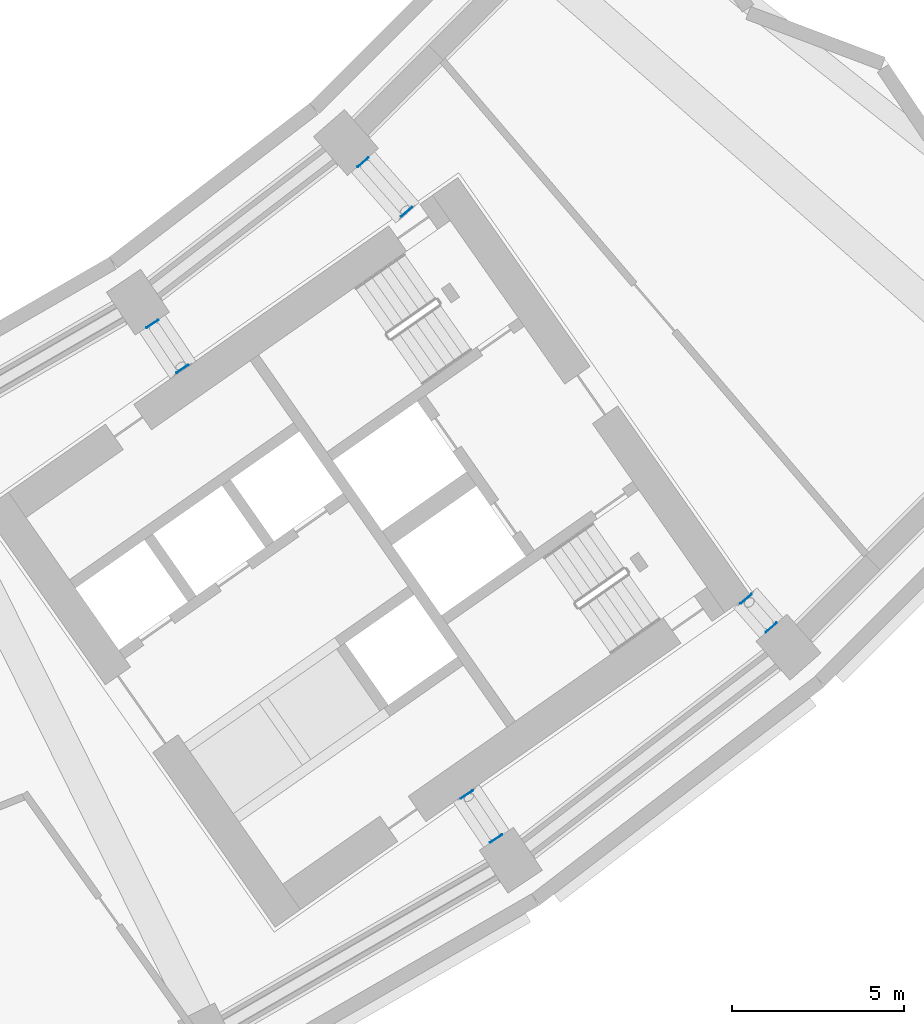
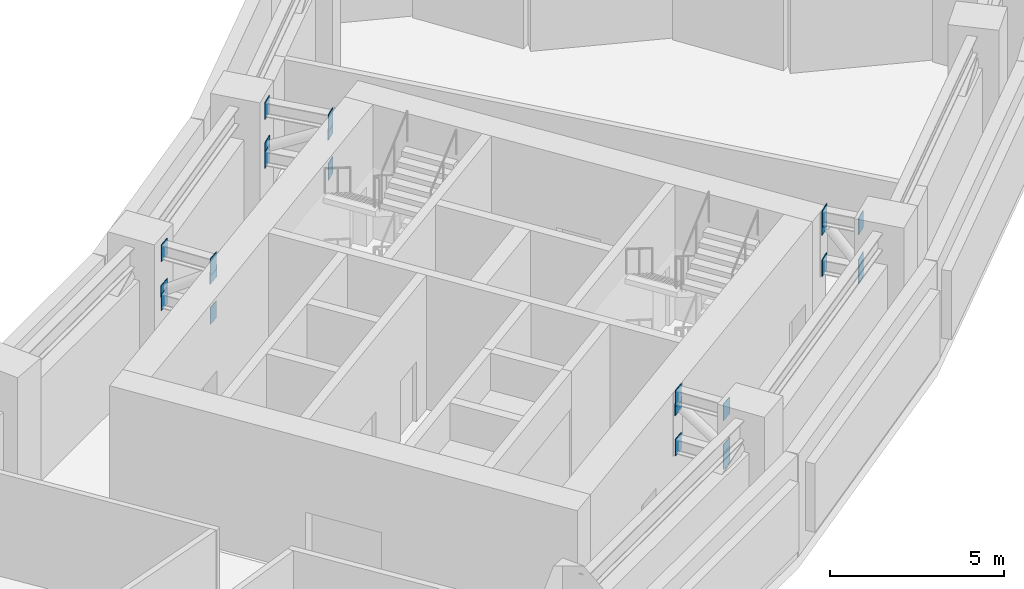
# One storey, part 14 of 25: 24 discrete accessories.
"""IFC4 building model written with IfcOpenShell, lengths in metres."""

from ifc_helpers import new_model, si_unit, direction, frame, origin, origin_2d, place, context, subcontext, project, spatial, rectangle, extrude, material, layer, layer_set, type_object, element, save


model = new_model("IFC4")

# Units and contexts
model_context = context("Model", 3, precision=1e-05, world=origin(), true_north=direction((0.0, 1.0)))
body_context = subcontext(model_context, "Body", "Model", "MODEL_VIEW")
ifc_project = project(units=[si_unit("LENGTHUNIT", "METRE"), si_unit("AREAUNIT", "SQUARE_METRE"), si_unit("VOLUMEUNIT", "CUBIC_METRE"), si_unit("PLANEANGLEUNIT", "RADIAN"), si_unit("MASSUNIT", "GRAM", prefix="KILO")], contexts=[model_context])

# Site, building, storey
site_placement = place(None, origin())
site = spatial("IfcSite", under=ifc_project, at=site_placement, CompositionType="ELEMENT")
building_placement = place(site_placement, origin())
building = spatial("IfcBuilding", under=site, at=building_placement, Name="Qamariyya Broadcast Tower", CompositionType="ELEMENT")
storey_placement = place(building_placement, frame((0.0, 0.0, 144.300048828125)))
storey = spatial("IfcBuildingStorey", under=building, at=storey_placement, Name="L33", CompositionType="ELEMENT", Elevation=144.300048828125)

# Discrete accessories
ifc_material = material(Name="Steel S355", Category="steel")
ifc_layer = layer(ifc_material, 0.02001953125)
ifc_layer_set = layer_set([ifc_layer], Name="End plate 20 Steel S355")
discrete_accessory_type = type_object("IfcDiscreteAccessoryType", Name="End plate 20 Steel S355", PredefinedType="BRACKET", material=ifc_layer_set)
for number, where, z_axis, x_axis, name in (
    (1, (32.7841796875, -49.06494140625, 4.15966796875), (0.0, 0.0, 1.0), (-0.831469612303, -0.55557023302, 0.0), "End plate EP1 L33 R15 tc"),
    (2, (33.656005859375, -50.369873046875, 4.15966796875), (0.0, 0.0, 1.0), (-0.831469612303, -0.55557023302, 0.0), "End plate EP1 L33 R15 tc"),
    (3, (32.7841796875, -49.06494140625, 2.44970703125), (0.0, 0.0, 1.0), (-0.831469612303, -0.55557023302, 0.0), "End plate EP1 L33 R15 bc"),
    (4, (33.656005859375, -50.369873046875, 2.44970703125), (0.0, 0.0, 1.0), (-0.831469612303, -0.55557023302, 0.0), "End plate EP1 L33 R15 bc"),
):
    element("IfcDiscreteAccessory", number, at=place(storey_placement, frame(where, z_axis=z_axis, x_axis=x_axis)), inside=storey, type_object=discrete_accessory_type, Name=name, PredefinedType="BRACKET", context=body_context, shape_type="SweptSolid", body=[
        extrude(rectangle(XDim=0.39990234375, YDim=0.02001953125, at=origin_2d()), origin(), (0.0, 0.0, 1.0), 0.590087890625),
    ])
for number, where, z_axis, x_axis, name in (
    (5, (32.7841796875, -49.06494140625, 2.91064453125), (0.0, 0.0, 1.0), (-0.831469612303, -0.55557023302, 0.0), "End plate EP1 L33 R15 dg"),
    (6, (33.656005859375, -50.369873046875, 3.865478515625), (0.0, 0.0, 1.0), (-0.831469612303, -0.55557023302, 0.0), "End plate EP1 L33 R15 dg"),
):
    element("IfcDiscreteAccessory", number, at=place(storey_placement, frame(where, z_axis=z_axis, x_axis=x_axis)), inside=storey, type_object=discrete_accessory_type, Name=name, PredefinedType="BRACKET", context=body_context, shape_type="SweptSolid", body=[
        extrude(rectangle(XDim=0.423828125, YDim=0.02001953125, at=origin_2d()), origin(), (0.0, 0.0, 1.0), 0.423828125),
    ])
for number, where, z_axis, x_axis, name in (
    (7, (41.91943359375, -62.73681640625, 4.15966796875), (0.0, 0.0, 1.0), (-0.831469612303, -0.55557023302, 0.0), "End plate EP1 L33 R15 tc"),
    (8, (42.7734375, -64.014892578125, 4.15966796875), (0.0, 0.0, 1.0), (-0.831469612303, -0.55557023302, 0.0), "End plate EP1 L33 R15 tc"),
    (9, (41.91943359375, -62.73681640625, 2.44970703125), (0.0, 0.0, 1.0), (-0.831469612303, -0.55557023302, 0.0), "End plate EP1 L33 R15 bc"),
    (10, (42.7734375, -64.014892578125, 2.44970703125), (0.0, 0.0, 1.0), (-0.831469612303, -0.55557023302, 0.0), "End plate EP1 L33 R15 bc"),
):
    element("IfcDiscreteAccessory", number, at=place(storey_placement, frame(where, z_axis=z_axis, x_axis=x_axis)), inside=storey, type_object=discrete_accessory_type, Name=name, PredefinedType="BRACKET", context=body_context, shape_type="SweptSolid", body=[
        extrude(rectangle(XDim=0.39990234375, YDim=0.02001953125, at=origin_2d()), origin(), (0.0, 0.0, 1.0), 0.590087890625),
    ])
for number, where, z_axis, x_axis, name in (
    (11, (41.91943359375, -62.73681640625, 3.866943359375), (0.0, 0.0, 1.0), (-0.831469612303, -0.55557023302, 0.0), "End plate EP1 L33 R15 dg"),
    (12, (42.7734375, -64.014892578125, 2.9091796875), (0.0, 0.0, 1.0), (-0.831469612303, -0.55557023302, 0.0), "End plate EP1 L33 R15 dg"),
):
    element("IfcDiscreteAccessory", number, at=place(storey_placement, frame(where, z_axis=z_axis, x_axis=x_axis)), inside=storey, type_object=discrete_accessory_type, Name=name, PredefinedType="BRACKET", context=body_context, shape_type="SweptSolid", body=[
        extrude(rectangle(XDim=0.423828125, YDim=0.02001953125, at=origin_2d()), origin(), (0.0, 0.0, 1.0), 0.423828125),
    ])
for number, where, z_axis, x_axis, name in (
    (13, (38.907958984375, -44.365966796875, 4.15966796875), (0.0, 0.0, 1.0), (-0.751839807479, -0.6593458151, 0.0), "End plate EP1 L33 R16 tc"),
    (14, (40.172119140625, -45.8076171875, 4.15966796875), (0.0, 0.0, 1.0), (-0.751839807479, -0.6593458151, 0.0), "End plate EP1 L33 R16 tc"),
    (15, (38.907958984375, -44.365966796875, 2.44970703125), (0.0, 0.0, 1.0), (-0.751839807479, -0.6593458151, 0.0), "End plate EP1 L33 R16 bc"),
    (16, (40.172119140625, -45.8076171875, 2.44970703125), (0.0, 0.0, 1.0), (-0.751839807479, -0.6593458151, 0.0), "End plate EP1 L33 R16 bc"),
):
    element("IfcDiscreteAccessory", number, at=place(storey_placement, frame(where, z_axis=z_axis, x_axis=x_axis)), inside=storey, type_object=discrete_accessory_type, Name=name, PredefinedType="BRACKET", context=body_context, shape_type="SweptSolid", body=[
        extrude(rectangle(XDim=0.39990234375, YDim=0.02001953125, at=origin_2d()), origin(), (0.0, 0.0, 1.0), 0.590087890625),
    ])
for number, where, z_axis, x_axis, name in (
    (17, (38.907958984375, -44.365966796875, 2.920654296875), (0.0, 0.0, 1.0), (-0.751839807479, -0.6593458151, 0.0), "End plate EP1 L33 R16 dg"),
    (18, (40.172119140625, -45.8076171875, 3.85546875), (0.0, 0.0, 1.0), (-0.751839807479, -0.6593458151, 0.0), "End plate EP1 L33 R16 dg"),
):
    element("IfcDiscreteAccessory", number, at=place(storey_placement, frame(where, z_axis=z_axis, x_axis=x_axis)), inside=storey, type_object=discrete_accessory_type, Name=name, PredefinedType="BRACKET", context=body_context, shape_type="SweptSolid", body=[
        extrude(rectangle(XDim=0.423828125, YDim=0.02001953125, at=origin_2d()), origin(), (0.0, 0.0, 1.0), 0.423828125),
    ])
for number, where, z_axis, x_axis, name in (
    (19, (50.034912109375, -57.053955078125, 4.15966796875), (0.0, 0.0, 1.0), (-0.751839807479, -0.6593458151, 0.0), "End plate EP1 L33 R16 tc"),
    (20, (50.762939453125, -57.884033203125, 4.15966796875), (0.0, 0.0, 1.0), (-0.751839807479, -0.6593458151, 0.0), "End plate EP1 L33 R16 tc"),
    (21, (50.034912109375, -57.053955078125, 2.44970703125), (0.0, 0.0, 1.0), (-0.751839807479, -0.6593458151, 0.0), "End plate EP1 L33 R16 bc"),
    (22, (50.762939453125, -57.884033203125, 2.44970703125), (0.0, 0.0, 1.0), (-0.751839807479, -0.6593458151, 0.0), "End plate EP1 L33 R16 bc"),
):
    element("IfcDiscreteAccessory", number, at=place(storey_placement, frame(where, z_axis=z_axis, x_axis=x_axis)), inside=storey, type_object=discrete_accessory_type, Name=name, PredefinedType="BRACKET", context=body_context, shape_type="SweptSolid", body=[
        extrude(rectangle(XDim=0.39990234375, YDim=0.02001953125, at=origin_2d()), origin(), (0.0, 0.0, 1.0), 0.590087890625),
    ])
for number, where, z_axis, x_axis, name in (
    (23, (50.034912109375, -57.053955078125, 3.8955078125), (0.0, 0.0, 1.0), (-0.751839807479, -0.6593458151, 0.0), "End plate EP1 L33 R16 dg"),
    (24, (50.762939453125, -57.884033203125, 2.880615234375), (0.0, 0.0, 1.0), (-0.751839807479, -0.6593458151, 0.0), "End plate EP1 L33 R16 dg"),
):
    element("IfcDiscreteAccessory", number, at=place(storey_placement, frame(where, z_axis=z_axis, x_axis=x_axis)), inside=storey, type_object=discrete_accessory_type, Name=name, PredefinedType="BRACKET", context=body_context, shape_type="SweptSolid", body=[
        extrude(rectangle(XDim=0.423828125, YDim=0.02001953125, at=origin_2d()), origin(), (0.0, 0.0, 1.0), 0.423828125),
    ])

save(model, "model.ifc")
